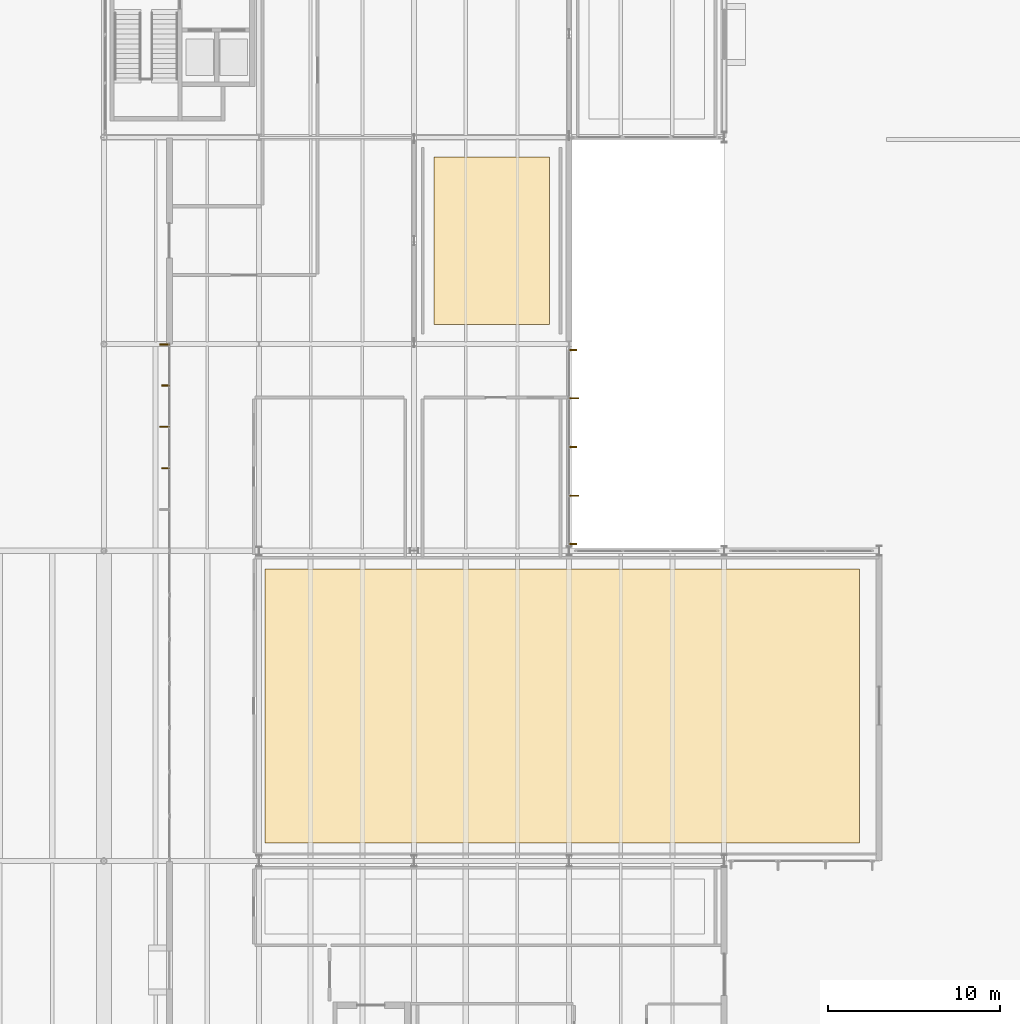
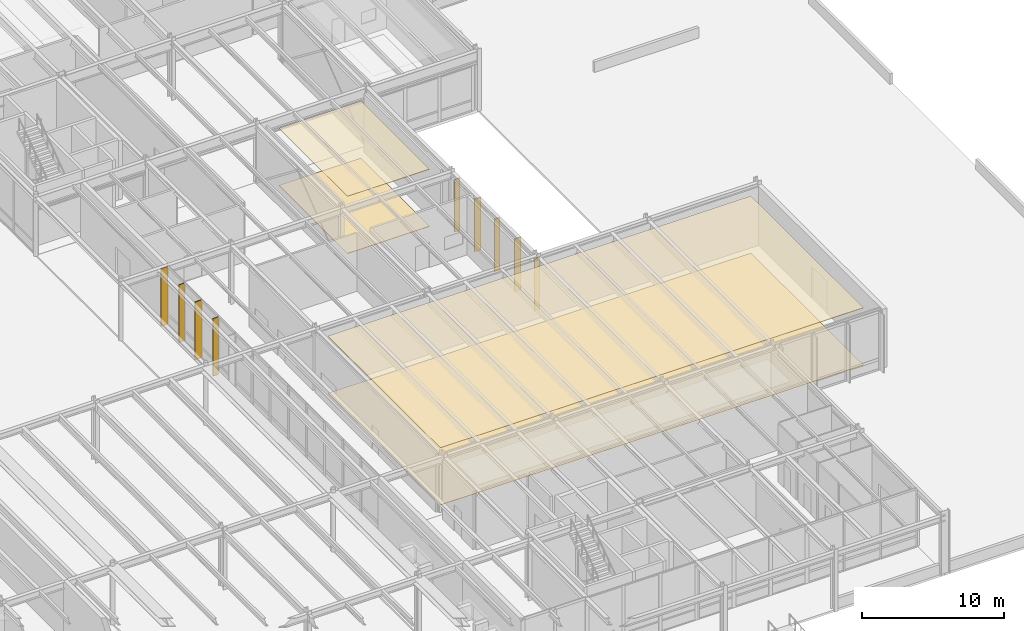
# One storey, part 137 of 143: 9 shading devices, 4 coverings.
"""IFC4 building model written with IfcOpenShell, lengths in metres."""

from ifc_helpers import new_model, si_unit, direction, frame, origin, origin_2d, place, context, subcontext, project, spatial, polyline, rectangle, outline, extrude, material, layer, layer_set, type_object, element, save


model = new_model("IFC4")

# Units and contexts
model_context = context("Model", 3, precision=1e-05, world=origin(), true_north=direction((0.0, 1.0)))
body_context = subcontext(model_context, "Body", "Model", "MODEL_VIEW")
ifc_project = project(units=[si_unit("LENGTHUNIT", "METRE"), si_unit("AREAUNIT", "SQUARE_METRE"), si_unit("VOLUMEUNIT", "CUBIC_METRE"), si_unit("PLANEANGLEUNIT", "RADIAN"), si_unit("MASSUNIT", "GRAM", prefix="KILO")], contexts=[model_context])

# Site, building, storey
site_placement = place(None, origin())
site = spatial("IfcSite", under=ifc_project, at=site_placement, CompositionType="ELEMENT")
building_placement = place(site_placement, origin())
building = spatial("IfcBuilding", under=site, at=building_placement, Name="Montelvaro Courts of Justice", CompositionType="ELEMENT")
storey_placement = place(building_placement, origin())
storey = spatial("IfcBuildingStorey", under=building, at=storey_placement, Name="L00", CompositionType="ELEMENT", Elevation=0.0)

# Coverings
ifc_material_1 = material(Name="Perforated acoustic gypsum ceiling")
ifc_layer_1 = layer(ifc_material_1, 0.0400390625)
ifc_layer_set_1 = layer_set([ifc_layer_1], Name="Perforated acoustic gypsum ceiling")
covering_type_1 = type_object("IfcCoveringType", Name="AcousticCeiling_Court", PredefinedType="CEILING", material=ifc_layer_set_1)
covering_1_placement = place(storey_placement, frame((0.0, 0.0, 4.919921875)))
element("IfcCovering", 1, at=covering_1_placement, inside=storey, type_object=covering_type_1, Name="Acoustic Ceiling Panel AC-01 (L00-33)", PredefinedType="CEILING", context=body_context, shape_type="SweptSolid", body=[
    extrude(outline(polyline([(142.85009765625, 40.949951171875), (142.85009765625, 25.050048828125), (108.35009765625, 25.050048828125), (108.35009765625, 40.949951171875), (142.85009765625, 40.949951171875)])), origin(), (0.0, 0.0, 1.0), 0.0400390625),
])
covering_2_placement = place(storey_placement, frame((0.0, 0.0, 4.919921875)))
element("IfcCovering", 2, at=covering_2_placement, inside=storey, type_object=covering_type_1, Name="Acoustic Ceiling Panel AC-01 (L00-36)", PredefinedType="CEILING", context=body_context, shape_type="SweptSolid", body=[
    extrude(outline(polyline([(118.14990234375, 55.14990234375), (118.14990234375, 64.85009765625), (124.85009765625, 64.85009765625), (124.85009765625, 55.14990234375), (118.14990234375, 55.14990234375)])), origin(), (0.0, 0.0, 1.0), 0.0400390625),
])
ifc_material_2 = material(Name="Alicante limestone judicial flooring", Category="masonry")
ifc_layer_2 = layer(ifc_material_2, 0.030029296875)
ifc_layer_set_2 = layer_set([ifc_layer_2], Name="Alicante limestone judicial flooring")
covering_type_2 = type_object("IfcCoveringType", Name="JudicialStoneFlooring", PredefinedType="FLOORING", material=ifc_layer_set_2)
covering_3_placement = place(storey_placement, origin())
element("IfcCovering", 3, at=covering_3_placement, inside=storey, type_object=covering_type_2, Name="Judicial Stone Flooring FLR-01 (L00-33)", PredefinedType="FLOORING", context=body_context, shape_type="SweptSolid", body=[
    extrude(outline(polyline([(142.85009765625, 40.949951171875), (142.85009765625, 25.050048828125), (108.35009765625, 25.050048828125), (108.35009765625, 40.949951171875), (142.85009765625, 40.949951171875)])), origin(), (0.0, 0.0, 1.0), 0.030029296875),
])
covering_4_placement = place(storey_placement, origin())
element("IfcCovering", 4, at=covering_4_placement, inside=storey, type_object=covering_type_2, Name="Judicial Stone Flooring FLR-01 (L00-36)", PredefinedType="FLOORING", context=body_context, shape_type="SweptSolid", body=[
    extrude(outline(polyline([(118.14990234375, 55.14990234375), (118.14990234375, 64.85009765625), (124.85009765625, 64.85009765625), (124.85009765625, 55.14990234375), (118.14990234375, 55.14990234375)])), origin(), (0.0, 0.0, 1.0), 0.030029296875),
])

# Shading devices
ifc_material_3 = material(Name="Champagne anodised aluminium EN AW-6063", Category="aluminium")
ifc_layer_3 = layer(ifc_material_3, 0.080078125)
ifc_layer_set_3 = layer_set([ifc_layer_3], Name="Champagne anodised aluminium EN AW-6063")
shading_device_type_1 = type_object("IfcShadingDeviceType", Name="SolarFin_Champagne", PredefinedType="JALOUSIE", material=ifc_layer_set_3)
for number, where, z_axis, x_axis, name in (
    (5, (126.27490234375, 45.195068359375, 0.050048828125), (0.0, 0.0, 1.0), (0.0, 1.0, 0.0), "Solar Brise-Soleil Fin SH-01 CW-076"),
    (6, (126.27490234375, 50.85498046875, 0.050048828125), (0.0, 0.0, 1.0), (0.0, 1.0, 0.0), "Solar Brise-Soleil Fin SH-01 CW-078"),
):
    element("IfcShadingDevice", number, at=place(storey_placement, frame(where, z_axis=z_axis, x_axis=x_axis)), inside=storey, type_object=shading_device_type_1, Name=name, PredefinedType="JALOUSIE", context=body_context, shape_type="SweptSolid", body=[
        extrude(rectangle(XDim=0.080078125, YDim=0.550048828125, at=origin_2d()), origin(), (0.0, 0.0, 1.0), 4.52490234375),
    ])
for number, where, z_axis, x_axis, name in (
    (7, (102.52490234375, 53.967529296875, 0.050048828125), (0.0, 0.0, 1.0), (0.0, -1.0, 0.0), "Solar Brise-Soleil Fin SH-01 CW-080"),
    (8, (102.52490234375, 49.199951171875, 0.050048828125), (0.0, 0.0, 1.0), (0.0, -1.0, 0.0), "Solar Brise-Soleil Fin SH-01 CW-082"),
):
    element("IfcShadingDevice", number, at=place(storey_placement, frame(where, z_axis=z_axis, x_axis=x_axis)), inside=storey, type_object=shading_device_type_1, Name=name, PredefinedType="JALOUSIE", context=body_context, shape_type="SweptSolid", body=[
        extrude(rectangle(XDim=0.080078125, YDim=0.550048828125, at=origin_2d()), origin(), (0.0, 0.0, 1.0), 4.97998046875),
    ])
ifc_layer_4 = layer(ifc_material_3, 0.070068359375)
ifc_layer_set_4 = layer_set([ifc_layer_4], Name="Champagne anodised aluminium EN AW-6063")
shading_device_type_2 = type_object("IfcShadingDeviceType", Name="SolarLouvre_Mediterranean", PredefinedType="SHUTTER", material=ifc_layer_set_4)
for number, where, z_axis, x_axis, name in (
    (9, (126.22509765625, 42.39501953125, 0.050048828125), (0.0, 0.0, 1.0), (0.0, 1.0, 0.0), "Solar Brise-Soleil Fin SH-02 CW-075"),
    (10, (126.22509765625, 48.02490234375, 0.050048828125), (0.0, 0.0, 1.0), (0.0, 1.0, 0.0), "Solar Brise-Soleil Fin SH-02 CW-077"),
    (11, (126.22509765625, 53.655029296875, 0.050048828125), (0.0, 0.0, 1.0), (0.0, 1.0, 0.0), "Solar Brise-Soleil Fin SH-02 CW-079"),
):
    element("IfcShadingDevice", number, at=place(storey_placement, frame(where, z_axis=z_axis, x_axis=x_axis)), inside=storey, type_object=shading_device_type_2, Name=name, PredefinedType="SHUTTER", context=body_context, shape_type="SweptSolid", body=[
        extrude(rectangle(XDim=0.070068359375, YDim=0.449951171875, at=origin_2d()), origin(), (0.0, 0.0, 1.0), 4.52490234375),
    ])
for number, where, z_axis, x_axis, name in (
    (12, (102.574951171875, 51.60009765625, 0.050048828125), (0.0, 0.0, 1.0), (0.0, -1.0, 0.0), "Solar Brise-Soleil Fin SH-02 CW-081"),
    (13, (102.574951171875, 46.800048828125, 0.050048828125), (0.0, 0.0, 1.0), (0.0, -1.0, 0.0), "Solar Brise-Soleil Fin SH-02 CW-083"),
):
    element("IfcShadingDevice", number, at=place(storey_placement, frame(where, z_axis=z_axis, x_axis=x_axis)), inside=storey, type_object=shading_device_type_2, Name=name, PredefinedType="SHUTTER", context=body_context, shape_type="SweptSolid", body=[
        extrude(rectangle(XDim=0.070068359375, YDim=0.449951171875, at=origin_2d()), origin(), (0.0, 0.0, 1.0), 4.97998046875),
    ])

save(model, "model.ifc")
